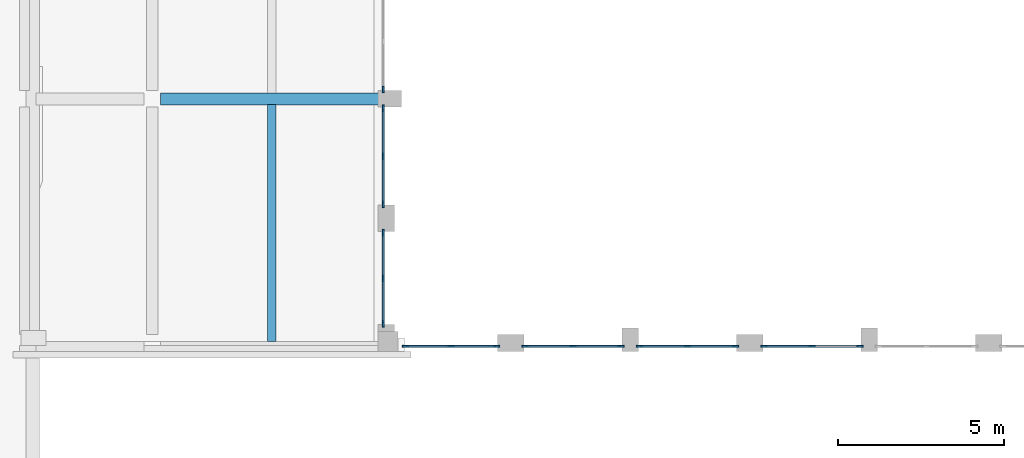
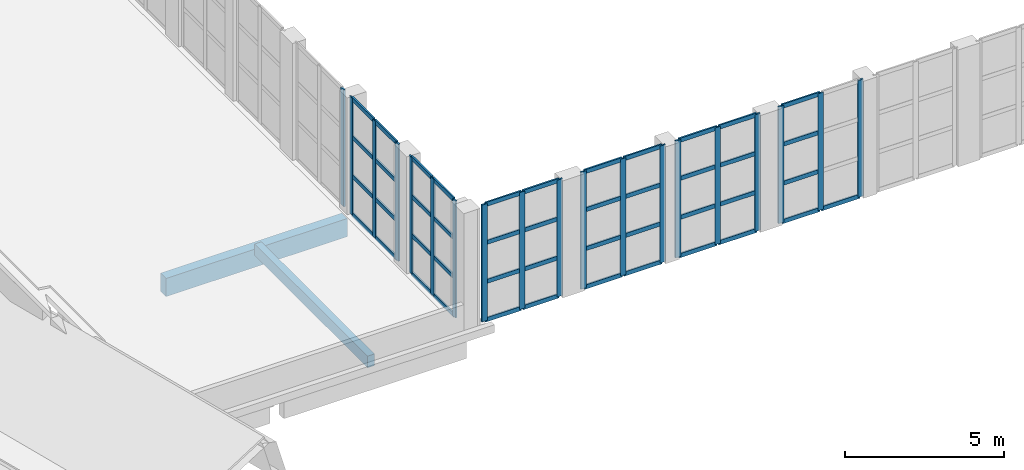
# One storey, part 2 of 44: 64 members, 2 beams, 7 elements without a shape of their own.
"""IFC4 building model written with IfcOpenShell, lengths in metres."""

from ifc_helpers import new_model, si_unit, direction, frame, origin, origin_2d, place, context, subcontext, project, spatial, rectangle, extrude, material, layer, layer_set, material_profile, profile_set, type_object, element, aggregate, save


model = new_model("IFC4")

# Units and contexts
model_context = context("Model", 3, precision=1e-05, world=origin(), true_north=direction((0.0, 1.0)))
body_context = subcontext(model_context, "Body", "Model", "MODEL_VIEW")
ifc_project = project(units=[si_unit("LENGTHUNIT", "METRE"), si_unit("AREAUNIT", "SQUARE_METRE"), si_unit("VOLUMEUNIT", "CUBIC_METRE"), si_unit("PLANEANGLEUNIT", "RADIAN"), si_unit("MASSUNIT", "GRAM", prefix="KILO")], contexts=[model_context])

# Site, building, storey
site_placement = place(None, origin())
site = spatial("IfcSite", under=ifc_project, at=site_placement, CompositionType="ELEMENT")
building_placement = place(site_placement, origin())
building = spatial("IfcBuilding", under=site, at=building_placement, Name="Ussher Court Research Institute", CompositionType="ELEMENT")
storey_placement = place(building_placement, frame((0.0, 0.0, 18.89990234375)))
storey = spatial("IfcBuildingStorey", under=building, at=storey_placement, Name="L04", CompositionType="ELEMENT", Elevation=18.89990234375)

# Curtain wall, members
ifc_material_1 = material(Name="Bronze anodised aluminium with low-e glass", Category="aluminium")
ifc_layer = layer(ifc_material_1, 0.159912109375)
ifc_layer_set = layer_set([ifc_layer], Name="Bronze anodised aluminium with low-e glass")
curtain_wall_type = type_object("IfcCurtainWallType", Name="Curtain wall atrium clerestory tall glazing", PredefinedType="NOTDEFINED", material=ifc_layer_set)
curtain_wall_1_placement = place(storey_placement, origin())
curtain_wall_1 = element("IfcCurtainWall", 1, at=curtain_wall_1_placement, inside=storey, type_object=curtain_wall_type, Name="Curtain wall CW3 L04", PredefinedType="NOTDEFINED")
ifc_material_2 = material(Name="Bronze anodised aluminium", Category="aluminium")
ifc_material_profile_1 = material_profile(ifc_material_2, rectangle(XDim=0.06005859375, YDim=0.199951171875, at=origin_2d()), Name="Mullion 60x200")
ifc_profile_set_1 = profile_set([ifc_material_profile_1], Name="Bronze anodised aluminium")
member_type_1 = type_object("IfcMemberType", Name="Mullion 60x200", PredefinedType="MULLION", material=ifc_profile_set_1)
member_1_placement = place(storey_placement, frame((53.1201171875, 10.949951171875, 0.0), z_axis=(0.0, 0.0, 1.0), x_axis=(0.0, -1.0, 0.0)))
member_1 = element("IfcMember", 2, at=member_1_placement, type_object=member_type_1, Name="CW3 mullion 1", PredefinedType="MULLION", context=body_context, shape_type="SweptSolid", body=[
    extrude(rectangle(XDim=0.06005859375, YDim=0.199951171875, at=origin_2d()), origin(), (0.0, 0.0, 1.0), 4.5),
])
member_2_placement = place(storey_placement, frame((51.675048828125, 10.949951171875, 0.0), z_axis=(0.0, 0.0, 1.0), x_axis=(0.0, -1.0, 0.0)))
member_2 = element("IfcMember", 3, at=member_2_placement, type_object=member_type_1, Name="CW3 mullion 2", PredefinedType="MULLION", context=body_context, shape_type="SweptSolid", body=[
    extrude(rectangle(XDim=0.06005859375, YDim=0.199951171875, at=origin_2d()), origin(), (0.0, 0.0, 1.0), 4.5),
])
member_3_placement = place(storey_placement, frame((50.22998046875, 10.949951171875, 0.0), z_axis=(0.0, 0.0, 1.0), x_axis=(0.0, -1.0, 0.0)))
member_3 = element("IfcMember", 4, at=member_3_placement, type_object=member_type_1, Name="CW3 mullion 3", PredefinedType="MULLION", context=body_context, shape_type="SweptSolid", body=[
    extrude(rectangle(XDim=0.06005859375, YDim=0.199951171875, at=origin_2d()), origin(), (0.0, 0.0, 1.0), 4.5),
])

curtain_wall_2_placement = place(storey_placement, origin())
curtain_wall_2 = element("IfcCurtainWall", 5, at=curtain_wall_2_placement, inside=storey, type_object=curtain_wall_type, Name="Curtain wall CW3 L04", PredefinedType="NOTDEFINED")
member_4_placement = place(storey_placement, frame((49.3701171875, 10.949951171875, 0.0), z_axis=(0.0, 0.0, 1.0), x_axis=(0.0, -1.0, 0.0)))
member_4 = element("IfcMember", 6, at=member_4_placement, type_object=member_type_1, Name="CW3 mullion 1", PredefinedType="MULLION", context=body_context, shape_type="SweptSolid", body=[
    extrude(rectangle(XDim=0.06005859375, YDim=0.199951171875, at=origin_2d()), origin(), (0.0, 0.0, 1.0), 4.5),
])
member_5_placement = place(storey_placement, frame((47.925048828125, 10.949951171875, 0.0), z_axis=(0.0, 0.0, 1.0), x_axis=(0.0, -1.0, 0.0)))
member_5 = element("IfcMember", 7, at=member_5_placement, type_object=member_type_1, Name="CW3 mullion 2", PredefinedType="MULLION", context=body_context, shape_type="SweptSolid", body=[
    extrude(rectangle(XDim=0.06005859375, YDim=0.199951171875, at=origin_2d()), origin(), (0.0, 0.0, 1.0), 4.5),
])
member_6_placement = place(storey_placement, frame((46.47998046875, 10.949951171875, 0.0), z_axis=(0.0, 0.0, 1.0), x_axis=(0.0, -1.0, 0.0)))
member_6 = element("IfcMember", 8, at=member_6_placement, type_object=member_type_1, Name="CW3 mullion 3", PredefinedType="MULLION", context=body_context, shape_type="SweptSolid", body=[
    extrude(rectangle(XDim=0.06005859375, YDim=0.199951171875, at=origin_2d()), origin(), (0.0, 0.0, 1.0), 4.5),
])

curtain_wall_3_placement = place(storey_placement, origin())
curtain_wall_3 = element("IfcCurtainWall", 9, at=curtain_wall_3_placement, inside=storey, type_object=curtain_wall_type, Name="Curtain wall CW3 L04", PredefinedType="NOTDEFINED")
member_7_placement = place(storey_placement, frame((45.919921875, 10.949951171875, 0.0), z_axis=(0.0, 0.0, 1.0), x_axis=(0.0, -1.0, 0.0)))
member_7 = element("IfcMember", 10, at=member_7_placement, type_object=member_type_1, Name="CW3 mullion 1", PredefinedType="MULLION", context=body_context, shape_type="SweptSolid", body=[
    extrude(rectangle(XDim=0.06005859375, YDim=0.199951171875, at=origin_2d()), origin(), (0.0, 0.0, 1.0), 4.5),
])
member_8_placement = place(storey_placement, frame((44.47509765625, 10.949951171875, 0.0), z_axis=(0.0, 0.0, 1.0), x_axis=(0.0, -1.0, 0.0)))
member_8 = element("IfcMember", 11, at=member_8_placement, type_object=member_type_1, Name="CW3 mullion 2", PredefinedType="MULLION", context=body_context, shape_type="SweptSolid", body=[
    extrude(rectangle(XDim=0.06005859375, YDim=0.199951171875, at=origin_2d()), origin(), (0.0, 0.0, 1.0), 4.5),
])
member_9_placement = place(storey_placement, frame((43.030029296875, 10.949951171875, 0.0), z_axis=(0.0, 0.0, 1.0), x_axis=(0.0, -1.0, 0.0)))
member_9 = element("IfcMember", 12, at=member_9_placement, type_object=member_type_1, Name="CW3 mullion 3", PredefinedType="MULLION", context=body_context, shape_type="SweptSolid", body=[
    extrude(rectangle(XDim=0.06005859375, YDim=0.199951171875, at=origin_2d()), origin(), (0.0, 0.0, 1.0), 4.5),
])

curtain_wall_4_placement = place(storey_placement, origin())
curtain_wall_4 = element("IfcCurtainWall", 13, at=curtain_wall_4_placement, inside=storey, type_object=curtain_wall_type, Name="Curtain wall CW3 L04", PredefinedType="NOTDEFINED")
member_10_placement = place(storey_placement, frame((42.169921875, 10.949951171875, 0.0), z_axis=(0.0, 0.0, 1.0), x_axis=(0.0, -1.0, 0.0)))
member_10 = element("IfcMember", 14, at=member_10_placement, type_object=member_type_1, Name="CW3 mullion 1", PredefinedType="MULLION", context=body_context, shape_type="SweptSolid", body=[
    extrude(rectangle(XDim=0.06005859375, YDim=0.199951171875, at=origin_2d()), origin(), (0.0, 0.0, 1.0), 4.5),
])
member_11_placement = place(storey_placement, frame((40.800048828125, 10.949951171875, 0.0), z_axis=(0.0, 0.0, 1.0), x_axis=(0.0, -1.0, 0.0)))
member_11 = element("IfcMember", 15, at=member_11_placement, type_object=member_type_1, Name="CW3 mullion 2", PredefinedType="MULLION", context=body_context, shape_type="SweptSolid", body=[
    extrude(rectangle(XDim=0.06005859375, YDim=0.199951171875, at=origin_2d()), origin(), (0.0, 0.0, 1.0), 4.5),
])
member_12_placement = place(storey_placement, frame((39.429931640625, 10.949951171875, 0.0), z_axis=(0.0, 0.0, 1.0), x_axis=(0.0, -1.0, 0.0)))
member_12 = element("IfcMember", 16, at=member_12_placement, type_object=member_type_1, Name="CW3 mullion 3", PredefinedType="MULLION", context=body_context, shape_type="SweptSolid", body=[
    extrude(rectangle(XDim=0.06005859375, YDim=0.199951171875, at=origin_2d()), origin(), (0.0, 0.0, 1.0), 4.5),
])

curtain_wall_5_placement = place(storey_placement, origin())
curtain_wall_5 = element("IfcCurtainWall", 17, at=curtain_wall_5_placement, inside=storey, type_object=curtain_wall_type, Name="Curtain wall CW3 L04", PredefinedType="NOTDEFINED")
member_13_placement = place(storey_placement, frame((38.75, 11.6298828125, 0.0), z_axis=(0.0, 0.0, 1.0), x_axis=(-1.0, 0.0, 0.0)))
member_13 = element("IfcMember", 18, at=member_13_placement, type_object=member_type_1, Name="CW3 mullion 1", PredefinedType="MULLION", context=body_context, shape_type="SweptSolid", body=[
    extrude(rectangle(XDim=0.06005859375, YDim=0.199951171875, at=origin_2d()), origin(), (0.0, 0.0, 1.0), 4.5),
])
member_14_placement = place(storey_placement, frame((38.75, 13.0, 0.0), z_axis=(0.0, 0.0, 1.0), x_axis=(-1.0, 0.0, 0.0)))
member_14 = element("IfcMember", 19, at=member_14_placement, type_object=member_type_1, Name="CW3 mullion 2", PredefinedType="MULLION", context=body_context, shape_type="SweptSolid", body=[
    extrude(rectangle(XDim=0.06005859375, YDim=0.199951171875, at=origin_2d()), origin(), (0.0, 0.0, 1.0), 4.5),
])
member_15_placement = place(storey_placement, frame((38.75, 14.3701171875, 0.0), z_axis=(0.0, 0.0, 1.0), x_axis=(-1.0, 0.0, 0.0)))
member_15 = element("IfcMember", 20, at=member_15_placement, type_object=member_type_1, Name="CW3 mullion 3", PredefinedType="MULLION", context=body_context, shape_type="SweptSolid", body=[
    extrude(rectangle(XDim=0.06005859375, YDim=0.199951171875, at=origin_2d()), origin(), (0.0, 0.0, 1.0), 4.5),
])

curtain_wall_6_placement = place(storey_placement, origin())
curtain_wall_6 = element("IfcCurtainWall", 21, at=curtain_wall_6_placement, inside=storey, type_object=curtain_wall_type, Name="Curtain wall CW3 L04", PredefinedType="NOTDEFINED")
member_16_placement = place(storey_placement, frame((38.75, 15.22998046875, 0.0), z_axis=(0.0, 0.0, 1.0), x_axis=(-1.0, 0.0, 0.0)))
member_16 = element("IfcMember", 22, at=member_16_placement, type_object=member_type_1, Name="CW3 mullion 1", PredefinedType="MULLION", context=body_context, shape_type="SweptSolid", body=[
    extrude(rectangle(XDim=0.06005859375, YDim=0.199951171875, at=origin_2d()), origin(), (0.0, 0.0, 1.0), 4.5),
])
member_17_placement = place(storey_placement, frame((38.75, 16.675048828125, 0.0), z_axis=(0.0, 0.0, 1.0), x_axis=(-1.0, 0.0, 0.0)))
member_17 = element("IfcMember", 23, at=member_17_placement, type_object=member_type_1, Name="CW3 mullion 2", PredefinedType="MULLION", context=body_context, shape_type="SweptSolid", body=[
    extrude(rectangle(XDim=0.06005859375, YDim=0.199951171875, at=origin_2d()), origin(), (0.0, 0.0, 1.0), 4.5),
])
member_18_placement = place(storey_placement, frame((38.75, 18.1201171875, 0.0), z_axis=(0.0, 0.0, 1.0), x_axis=(-1.0, 0.0, 0.0)))
member_18 = element("IfcMember", 24, at=member_18_placement, type_object=member_type_1, Name="CW3 mullion 3", PredefinedType="MULLION", context=body_context, shape_type="SweptSolid", body=[
    extrude(rectangle(XDim=0.06005859375, YDim=0.199951171875, at=origin_2d()), origin(), (0.0, 0.0, 1.0), 4.5),
])

# Curtain wall, member
curtain_wall_7_placement = place(storey_placement, origin())
curtain_wall_7 = element("IfcCurtainWall", 25, at=curtain_wall_7_placement, inside=storey, type_object=curtain_wall_type, Name="Curtain wall CW3 L04", PredefinedType="NOTDEFINED")
member_19_placement = place(storey_placement, frame((38.75, 18.679931640625, 0.0), z_axis=(0.0, 0.0, 1.0), x_axis=(-1.0, 0.0, 0.0)))
member_19 = element("IfcMember", 26, at=member_19_placement, type_object=member_type_1, Name="CW3 mullion 1", PredefinedType="MULLION", context=body_context, shape_type="SweptSolid", body=[
    extrude(rectangle(XDim=0.06005859375, YDim=0.199951171875, at=origin_2d()), origin(), (0.0, 0.0, 1.0), 4.5),
])
aggregate(curtain_wall_7, [member_19])

# Beams
ifc_material_3 = material(Name="Concrete C35/45", Category="concrete")
ifc_material_profile_2 = material_profile(ifc_material_3, rectangle(XDim=0.25, YDim=0.449951171875, at=origin_2d()), Name="RC 250x450")
ifc_profile_set_2 = profile_set([ifc_material_profile_2], Name="Concrete C35/45")
beam_type_1 = type_object("IfcBeamType", Name="RC 250x450 beam", PredefinedType="BEAM", material=ifc_profile_set_2)
beam_1_placement = place(storey_placement, frame((35.39990234375, 11.10009765625, -0.224853515625), z_axis=(0.0, 1.0, 0.0), x_axis=(-1.0, 0.0, 0.0)))
element("IfcBeam", 27, at=beam_1_placement, inside=storey, type_object=beam_type_1, Name="B1 V7 L04-01", PredefinedType="BEAM", context=body_context, shape_type="SweptSolid", body=[
    extrude(rectangle(XDim=0.25, YDim=0.449951171875, at=origin_2d()), origin(), (0.0, 0.0, 1.0), 7.125),
])
ifc_material_4 = material(Name="Concrete C35/45", Category="concrete")
ifc_material_profile_3 = material_profile(ifc_material_4, rectangle(XDim=0.35009765625, YDim=0.699951171875, at=origin_2d()), Name="RC 350x700")
ifc_profile_set_3 = profile_set([ifc_material_profile_3], Name="Concrete C35/45")
beam_type_2 = type_object("IfcBeamType", Name="RC 350x700 beam", PredefinedType="BEAM", material=ifc_profile_set_3)
beam_2_placement = place(storey_placement, frame((32.050048828125, 18.39990234375, -0.5498046875), z_axis=(1.0, 0.0, 0.0), x_axis=(0.0, 1.0, 0.0)))
element("IfcBeam", 28, at=beam_2_placement, inside=storey, type_object=beam_type_2, Name="B16 V7 L04-02", PredefinedType="BEAM", context=body_context, shape_type="SweptSolid", body=[
    extrude(rectangle(XDim=0.35009765625, YDim=0.699951171875, at=origin_2d()), origin(), (0.0, 0.0, 1.0), 6.599853515625),
])

# Member
ifc_material_5 = material(Name="Bronze anodised aluminium", Category="aluminium")
ifc_material_profile_4 = material_profile(ifc_material_5, rectangle(XDim=0.06005859375, YDim=0.159912109375, at=origin_2d()), Name="Transom 60x160")
ifc_profile_set_4 = profile_set([ifc_material_profile_4], Name="Bronze anodised aluminium")
member_type_2 = type_object("IfcMemberType", Name="Transom 60x160", PredefinedType="USERDEFINED", material=ifc_profile_set_4)
member_20_placement = place(storey_placement, frame((53.090087890625, 10.949951171875, 0.030029296875), z_axis=(-1.0, 0.0, 0.0), x_axis=(0.0, -1.0, 0.0)))
member_20 = element("IfcMember", 29, at=member_20_placement, type_object=member_type_2, Name="CW3 transom 1.1", ObjectType="TRANSOM", PredefinedType="USERDEFINED", context=body_context, shape_type="SweptSolid", body=[
    extrude(rectangle(XDim=0.06005859375, YDim=0.159912109375, at=origin_2d()), origin(), (0.0, 0.0, 1.0), 1.385009765625),
])

member_21_placement = place(storey_placement, frame((51.64501953125, 10.949951171875, 0.030029296875), z_axis=(-1.0, 0.0, 0.0), x_axis=(0.0, -1.0, 0.0)))
member_21 = element("IfcMember", 30, at=member_21_placement, type_object=member_type_2, Name="CW3 transom 2.1", ObjectType="TRANSOM", PredefinedType="USERDEFINED", context=body_context, shape_type="SweptSolid", body=[
    extrude(rectangle(XDim=0.06005859375, YDim=0.159912109375, at=origin_2d()), origin(), (0.0, 0.0, 1.0), 1.385009765625),
])

member_22_placement = place(storey_placement, frame((51.64501953125, 10.949951171875, 1.5), z_axis=(-1.0, 0.0, 0.0), x_axis=(0.0, -1.0, 0.0)))
member_22 = element("IfcMember", 31, at=member_22_placement, type_object=member_type_2, Name="CW3 transom 2.2", ObjectType="TRANSOM", PredefinedType="USERDEFINED", context=body_context, shape_type="SweptSolid", body=[
    extrude(rectangle(XDim=0.06005859375, YDim=0.159912109375, at=origin_2d()), origin(), (0.0, 0.0, 1.0), 1.385009765625),
])

member_23_placement = place(storey_placement, frame((51.64501953125, 10.949951171875, 3.0), z_axis=(-1.0, 0.0, 0.0), x_axis=(0.0, -1.0, 0.0)))
member_23 = element("IfcMember", 32, at=member_23_placement, type_object=member_type_2, Name="CW3 transom 2.3", ObjectType="TRANSOM", PredefinedType="USERDEFINED", context=body_context, shape_type="SweptSolid", body=[
    extrude(rectangle(XDim=0.06005859375, YDim=0.159912109375, at=origin_2d()), origin(), (0.0, 0.0, 1.0), 1.385009765625),
])

member_24_placement = place(storey_placement, frame((51.64501953125, 10.949951171875, 4.47021484375), z_axis=(-1.0, 0.0, 0.0), x_axis=(0.0, -1.0, 0.0)))
member_24 = element("IfcMember", 33, at=member_24_placement, type_object=member_type_2, Name="CW3 transom 2.4", ObjectType="TRANSOM", PredefinedType="USERDEFINED", context=body_context, shape_type="SweptSolid", body=[
    extrude(rectangle(XDim=0.06005859375, YDim=0.159912109375, at=origin_2d()), origin(), (0.0, 0.0, 1.0), 1.385009765625),
])

aggregate(curtain_wall_1, [member_1, member_2, member_3, member_20, member_21, member_22, member_23, member_24])

member_25_placement = place(storey_placement, frame((49.340087890625, 10.949951171875, 0.030029296875), z_axis=(-1.0, 0.0, 0.0), x_axis=(0.0, -1.0, 0.0)))
member_25 = element("IfcMember", 34, at=member_25_placement, type_object=member_type_2, Name="CW3 transom 1.1", ObjectType="TRANSOM", PredefinedType="USERDEFINED", context=body_context, shape_type="SweptSolid", body=[
    extrude(rectangle(XDim=0.06005859375, YDim=0.159912109375, at=origin_2d()), origin(), (0.0, 0.0, 1.0), 1.385009765625),
])

member_26_placement = place(storey_placement, frame((49.340087890625, 10.949951171875, 1.5), z_axis=(-1.0, 0.0, 0.0), x_axis=(0.0, -1.0, 0.0)))
member_26 = element("IfcMember", 35, at=member_26_placement, type_object=member_type_2, Name="CW3 transom 1.2", ObjectType="TRANSOM", PredefinedType="USERDEFINED", context=body_context, shape_type="SweptSolid", body=[
    extrude(rectangle(XDim=0.06005859375, YDim=0.159912109375, at=origin_2d()), origin(), (0.0, 0.0, 1.0), 1.385009765625),
])

member_27_placement = place(storey_placement, frame((49.340087890625, 10.949951171875, 3.0), z_axis=(-1.0, 0.0, 0.0), x_axis=(0.0, -1.0, 0.0)))
member_27 = element("IfcMember", 36, at=member_27_placement, type_object=member_type_2, Name="CW3 transom 1.3", ObjectType="TRANSOM", PredefinedType="USERDEFINED", context=body_context, shape_type="SweptSolid", body=[
    extrude(rectangle(XDim=0.06005859375, YDim=0.159912109375, at=origin_2d()), origin(), (0.0, 0.0, 1.0), 1.385009765625),
])

member_28_placement = place(storey_placement, frame((49.340087890625, 10.949951171875, 4.47021484375), z_axis=(-1.0, 0.0, 0.0), x_axis=(0.0, -1.0, 0.0)))
member_28 = element("IfcMember", 37, at=member_28_placement, type_object=member_type_2, Name="CW3 transom 1.4", ObjectType="TRANSOM", PredefinedType="USERDEFINED", context=body_context, shape_type="SweptSolid", body=[
    extrude(rectangle(XDim=0.06005859375, YDim=0.159912109375, at=origin_2d()), origin(), (0.0, 0.0, 1.0), 1.385009765625),
])

member_29_placement = place(storey_placement, frame((47.89501953125, 10.949951171875, 0.030029296875), z_axis=(-1.0, 0.0, 0.0), x_axis=(0.0, -1.0, 0.0)))
member_29 = element("IfcMember", 38, at=member_29_placement, type_object=member_type_2, Name="CW3 transom 2.1", ObjectType="TRANSOM", PredefinedType="USERDEFINED", context=body_context, shape_type="SweptSolid", body=[
    extrude(rectangle(XDim=0.06005859375, YDim=0.159912109375, at=origin_2d()), origin(), (0.0, 0.0, 1.0), 1.385009765625),
])

member_30_placement = place(storey_placement, frame((47.89501953125, 10.949951171875, 1.5), z_axis=(-1.0, 0.0, 0.0), x_axis=(0.0, -1.0, 0.0)))
member_30 = element("IfcMember", 39, at=member_30_placement, type_object=member_type_2, Name="CW3 transom 2.2", ObjectType="TRANSOM", PredefinedType="USERDEFINED", context=body_context, shape_type="SweptSolid", body=[
    extrude(rectangle(XDim=0.06005859375, YDim=0.159912109375, at=origin_2d()), origin(), (0.0, 0.0, 1.0), 1.385009765625),
])

member_31_placement = place(storey_placement, frame((47.89501953125, 10.949951171875, 3.0), z_axis=(-1.0, 0.0, 0.0), x_axis=(0.0, -1.0, 0.0)))
member_31 = element("IfcMember", 40, at=member_31_placement, type_object=member_type_2, Name="CW3 transom 2.3", ObjectType="TRANSOM", PredefinedType="USERDEFINED", context=body_context, shape_type="SweptSolid", body=[
    extrude(rectangle(XDim=0.06005859375, YDim=0.159912109375, at=origin_2d()), origin(), (0.0, 0.0, 1.0), 1.385009765625),
])

member_32_placement = place(storey_placement, frame((47.89501953125, 10.949951171875, 4.47021484375), z_axis=(-1.0, 0.0, 0.0), x_axis=(0.0, -1.0, 0.0)))
member_32 = element("IfcMember", 41, at=member_32_placement, type_object=member_type_2, Name="CW3 transom 2.4", ObjectType="TRANSOM", PredefinedType="USERDEFINED", context=body_context, shape_type="SweptSolid", body=[
    extrude(rectangle(XDim=0.06005859375, YDim=0.159912109375, at=origin_2d()), origin(), (0.0, 0.0, 1.0), 1.385009765625),
])

aggregate(curtain_wall_2, [member_4, member_5, member_6, member_25, member_26, member_27, member_28, member_29, member_30, member_31, member_32])

member_33_placement = place(storey_placement, frame((45.889892578125, 10.949951171875, 0.030029296875), z_axis=(-1.0, 0.0, 0.0), x_axis=(0.0, -1.0, 0.0)))
member_33 = element("IfcMember", 42, at=member_33_placement, type_object=member_type_2, Name="CW3 transom 1.1", ObjectType="TRANSOM", PredefinedType="USERDEFINED", context=body_context, shape_type="SweptSolid", body=[
    extrude(rectangle(XDim=0.06005859375, YDim=0.159912109375, at=origin_2d()), origin(), (0.0, 0.0, 1.0), 1.385009765625),
])

member_34_placement = place(storey_placement, frame((45.889892578125, 10.949951171875, 1.5), z_axis=(-1.0, 0.0, 0.0), x_axis=(0.0, -1.0, 0.0)))
member_34 = element("IfcMember", 43, at=member_34_placement, type_object=member_type_2, Name="CW3 transom 1.2", ObjectType="TRANSOM", PredefinedType="USERDEFINED", context=body_context, shape_type="SweptSolid", body=[
    extrude(rectangle(XDim=0.06005859375, YDim=0.159912109375, at=origin_2d()), origin(), (0.0, 0.0, 1.0), 1.385009765625),
])

member_35_placement = place(storey_placement, frame((45.889892578125, 10.949951171875, 3.0), z_axis=(-1.0, 0.0, 0.0), x_axis=(0.0, -1.0, 0.0)))
member_35 = element("IfcMember", 44, at=member_35_placement, type_object=member_type_2, Name="CW3 transom 1.3", ObjectType="TRANSOM", PredefinedType="USERDEFINED", context=body_context, shape_type="SweptSolid", body=[
    extrude(rectangle(XDim=0.06005859375, YDim=0.159912109375, at=origin_2d()), origin(), (0.0, 0.0, 1.0), 1.385009765625),
])

member_36_placement = place(storey_placement, frame((45.889892578125, 10.949951171875, 4.47021484375), z_axis=(-1.0, 0.0, 0.0), x_axis=(0.0, -1.0, 0.0)))
member_36 = element("IfcMember", 45, at=member_36_placement, type_object=member_type_2, Name="CW3 transom 1.4", ObjectType="TRANSOM", PredefinedType="USERDEFINED", context=body_context, shape_type="SweptSolid", body=[
    extrude(rectangle(XDim=0.06005859375, YDim=0.159912109375, at=origin_2d()), origin(), (0.0, 0.0, 1.0), 1.385009765625),
])

member_37_placement = place(storey_placement, frame((44.445068359375, 10.949951171875, 0.030029296875), z_axis=(-1.0, 0.0, 0.0), x_axis=(0.0, -1.0, 0.0)))
member_37 = element("IfcMember", 46, at=member_37_placement, type_object=member_type_2, Name="CW3 transom 2.1", ObjectType="TRANSOM", PredefinedType="USERDEFINED", context=body_context, shape_type="SweptSolid", body=[
    extrude(rectangle(XDim=0.06005859375, YDim=0.159912109375, at=origin_2d()), origin(), (0.0, 0.0, 1.0), 1.385009765625),
])

member_38_placement = place(storey_placement, frame((44.445068359375, 10.949951171875, 1.5), z_axis=(-1.0, 0.0, 0.0), x_axis=(0.0, -1.0, 0.0)))
member_38 = element("IfcMember", 47, at=member_38_placement, type_object=member_type_2, Name="CW3 transom 2.2", ObjectType="TRANSOM", PredefinedType="USERDEFINED", context=body_context, shape_type="SweptSolid", body=[
    extrude(rectangle(XDim=0.06005859375, YDim=0.159912109375, at=origin_2d()), origin(), (0.0, 0.0, 1.0), 1.385009765625),
])

member_39_placement = place(storey_placement, frame((44.445068359375, 10.949951171875, 3.0), z_axis=(-1.0, 0.0, 0.0), x_axis=(0.0, -1.0, 0.0)))
member_39 = element("IfcMember", 48, at=member_39_placement, type_object=member_type_2, Name="CW3 transom 2.3", ObjectType="TRANSOM", PredefinedType="USERDEFINED", context=body_context, shape_type="SweptSolid", body=[
    extrude(rectangle(XDim=0.06005859375, YDim=0.159912109375, at=origin_2d()), origin(), (0.0, 0.0, 1.0), 1.385009765625),
])

member_40_placement = place(storey_placement, frame((44.445068359375, 10.949951171875, 4.47021484375), z_axis=(-1.0, 0.0, 0.0), x_axis=(0.0, -1.0, 0.0)))
member_40 = element("IfcMember", 49, at=member_40_placement, type_object=member_type_2, Name="CW3 transom 2.4", ObjectType="TRANSOM", PredefinedType="USERDEFINED", context=body_context, shape_type="SweptSolid", body=[
    extrude(rectangle(XDim=0.06005859375, YDim=0.159912109375, at=origin_2d()), origin(), (0.0, 0.0, 1.0), 1.385009765625),
])

aggregate(curtain_wall_3, [member_7, member_8, member_9, member_33, member_34, member_35, member_36, member_37, member_38, member_39, member_40])

member_41_placement = place(storey_placement, frame((42.139892578125, 10.949951171875, 0.030029296875), z_axis=(-1.0, 0.0, 0.0), x_axis=(0.0, -1.0, 0.0)))
member_41 = element("IfcMember", 50, at=member_41_placement, type_object=member_type_2, Name="CW3 transom 1.1", ObjectType="TRANSOM", PredefinedType="USERDEFINED", context=body_context, shape_type="SweptSolid", body=[
    extrude(rectangle(XDim=0.06005859375, YDim=0.159912109375, at=origin_2d()), origin(), (0.0, 0.0, 1.0), 1.309814453125),
])

member_42_placement = place(storey_placement, frame((42.139892578125, 10.949951171875, 1.5), z_axis=(-1.0, 0.0, 0.0), x_axis=(0.0, -1.0, 0.0)))
member_42 = element("IfcMember", 51, at=member_42_placement, type_object=member_type_2, Name="CW3 transom 1.2", ObjectType="TRANSOM", PredefinedType="USERDEFINED", context=body_context, shape_type="SweptSolid", body=[
    extrude(rectangle(XDim=0.06005859375, YDim=0.159912109375, at=origin_2d()), origin(), (0.0, 0.0, 1.0), 1.309814453125),
])

member_43_placement = place(storey_placement, frame((42.139892578125, 10.949951171875, 3.0), z_axis=(-1.0, 0.0, 0.0), x_axis=(0.0, -1.0, 0.0)))
member_43 = element("IfcMember", 52, at=member_43_placement, type_object=member_type_2, Name="CW3 transom 1.3", ObjectType="TRANSOM", PredefinedType="USERDEFINED", context=body_context, shape_type="SweptSolid", body=[
    extrude(rectangle(XDim=0.06005859375, YDim=0.159912109375, at=origin_2d()), origin(), (0.0, 0.0, 1.0), 1.309814453125),
])

member_44_placement = place(storey_placement, frame((42.139892578125, 10.949951171875, 4.47021484375), z_axis=(-1.0, 0.0, 0.0), x_axis=(0.0, -1.0, 0.0)))
member_44 = element("IfcMember", 53, at=member_44_placement, type_object=member_type_2, Name="CW3 transom 1.4", ObjectType="TRANSOM", PredefinedType="USERDEFINED", context=body_context, shape_type="SweptSolid", body=[
    extrude(rectangle(XDim=0.06005859375, YDim=0.159912109375, at=origin_2d()), origin(), (0.0, 0.0, 1.0), 1.309814453125),
])

member_45_placement = place(storey_placement, frame((40.77001953125, 10.949951171875, 0.030029296875), z_axis=(-1.0, 0.0, 0.0), x_axis=(0.0, -1.0, 0.0)))
member_45 = element("IfcMember", 54, at=member_45_placement, type_object=member_type_2, Name="CW3 transom 2.1", ObjectType="TRANSOM", PredefinedType="USERDEFINED", context=body_context, shape_type="SweptSolid", body=[
    extrude(rectangle(XDim=0.06005859375, YDim=0.159912109375, at=origin_2d()), origin(), (0.0, 0.0, 1.0), 1.31005859375),
])

member_46_placement = place(storey_placement, frame((40.77001953125, 10.949951171875, 1.5), z_axis=(-1.0, 0.0, 0.0), x_axis=(0.0, -1.0, 0.0)))
member_46 = element("IfcMember", 55, at=member_46_placement, type_object=member_type_2, Name="CW3 transom 2.2", ObjectType="TRANSOM", PredefinedType="USERDEFINED", context=body_context, shape_type="SweptSolid", body=[
    extrude(rectangle(XDim=0.06005859375, YDim=0.159912109375, at=origin_2d()), origin(), (0.0, 0.0, 1.0), 1.31005859375),
])

member_47_placement = place(storey_placement, frame((40.77001953125, 10.949951171875, 3.0), z_axis=(-1.0, 0.0, 0.0), x_axis=(0.0, -1.0, 0.0)))
member_47 = element("IfcMember", 56, at=member_47_placement, type_object=member_type_2, Name="CW3 transom 2.3", ObjectType="TRANSOM", PredefinedType="USERDEFINED", context=body_context, shape_type="SweptSolid", body=[
    extrude(rectangle(XDim=0.06005859375, YDim=0.159912109375, at=origin_2d()), origin(), (0.0, 0.0, 1.0), 1.31005859375),
])

member_48_placement = place(storey_placement, frame((40.77001953125, 10.949951171875, 4.47021484375), z_axis=(-1.0, 0.0, 0.0), x_axis=(0.0, -1.0, 0.0)))
member_48 = element("IfcMember", 57, at=member_48_placement, type_object=member_type_2, Name="CW3 transom 2.4", ObjectType="TRANSOM", PredefinedType="USERDEFINED", context=body_context, shape_type="SweptSolid", body=[
    extrude(rectangle(XDim=0.06005859375, YDim=0.159912109375, at=origin_2d()), origin(), (0.0, 0.0, 1.0), 1.31005859375),
])

aggregate(curtain_wall_4, [member_10, member_11, member_12, member_41, member_42, member_43, member_44, member_45, member_46, member_47, member_48])

member_49_placement = place(storey_placement, frame((38.75, 11.659912109375, 0.030029296875), z_axis=(0.0, 1.0, 0.0), x_axis=(-1.0, 0.0, 0.0)))
member_49 = element("IfcMember", 58, at=member_49_placement, type_object=member_type_2, Name="CW3 transom 1.1", ObjectType="TRANSOM", PredefinedType="USERDEFINED", context=body_context, shape_type="SweptSolid", body=[
    extrude(rectangle(XDim=0.06005859375, YDim=0.159912109375, at=origin_2d()), origin(), (0.0, 0.0, 1.0), 1.31005859375),
])

member_50_placement = place(storey_placement, frame((38.75, 11.659912109375, 1.5), z_axis=(0.0, 1.0, 0.0), x_axis=(-1.0, 0.0, 0.0)))
member_50 = element("IfcMember", 59, at=member_50_placement, type_object=member_type_2, Name="CW3 transom 1.2", ObjectType="TRANSOM", PredefinedType="USERDEFINED", context=body_context, shape_type="SweptSolid", body=[
    extrude(rectangle(XDim=0.06005859375, YDim=0.159912109375, at=origin_2d()), origin(), (0.0, 0.0, 1.0), 1.31005859375),
])

member_51_placement = place(storey_placement, frame((38.75, 11.659912109375, 3.0), z_axis=(0.0, 1.0, 0.0), x_axis=(-1.0, 0.0, 0.0)))
member_51 = element("IfcMember", 60, at=member_51_placement, type_object=member_type_2, Name="CW3 transom 1.3", ObjectType="TRANSOM", PredefinedType="USERDEFINED", context=body_context, shape_type="SweptSolid", body=[
    extrude(rectangle(XDim=0.06005859375, YDim=0.159912109375, at=origin_2d()), origin(), (0.0, 0.0, 1.0), 1.31005859375),
])

member_52_placement = place(storey_placement, frame((38.75, 11.659912109375, 4.47021484375), z_axis=(0.0, 1.0, 0.0), x_axis=(-1.0, 0.0, 0.0)))
member_52 = element("IfcMember", 61, at=member_52_placement, type_object=member_type_2, Name="CW3 transom 1.4", ObjectType="TRANSOM", PredefinedType="USERDEFINED", context=body_context, shape_type="SweptSolid", body=[
    extrude(rectangle(XDim=0.06005859375, YDim=0.159912109375, at=origin_2d()), origin(), (0.0, 0.0, 1.0), 1.31005859375),
])

member_53_placement = place(storey_placement, frame((38.75, 13.030029296875, 0.030029296875), z_axis=(0.0, 1.0, 0.0), x_axis=(-1.0, 0.0, 0.0)))
member_53 = element("IfcMember", 62, at=member_53_placement, type_object=member_type_2, Name="CW3 transom 2.1", ObjectType="TRANSOM", PredefinedType="USERDEFINED", context=body_context, shape_type="SweptSolid", body=[
    extrude(rectangle(XDim=0.06005859375, YDim=0.159912109375, at=origin_2d()), origin(), (0.0, 0.0, 1.0), 1.31005859375),
])

member_54_placement = place(storey_placement, frame((38.75, 13.030029296875, 1.5), z_axis=(0.0, 1.0, 0.0), x_axis=(-1.0, 0.0, 0.0)))
member_54 = element("IfcMember", 63, at=member_54_placement, type_object=member_type_2, Name="CW3 transom 2.2", ObjectType="TRANSOM", PredefinedType="USERDEFINED", context=body_context, shape_type="SweptSolid", body=[
    extrude(rectangle(XDim=0.06005859375, YDim=0.159912109375, at=origin_2d()), origin(), (0.0, 0.0, 1.0), 1.31005859375),
])

member_55_placement = place(storey_placement, frame((38.75, 13.030029296875, 3.0), z_axis=(0.0, 1.0, 0.0), x_axis=(-1.0, 0.0, 0.0)))
member_55 = element("IfcMember", 64, at=member_55_placement, type_object=member_type_2, Name="CW3 transom 2.3", ObjectType="TRANSOM", PredefinedType="USERDEFINED", context=body_context, shape_type="SweptSolid", body=[
    extrude(rectangle(XDim=0.06005859375, YDim=0.159912109375, at=origin_2d()), origin(), (0.0, 0.0, 1.0), 1.31005859375),
])

member_56_placement = place(storey_placement, frame((38.75, 13.030029296875, 4.47021484375), z_axis=(0.0, 1.0, 0.0), x_axis=(-1.0, 0.0, 0.0)))
member_56 = element("IfcMember", 65, at=member_56_placement, type_object=member_type_2, Name="CW3 transom 2.4", ObjectType="TRANSOM", PredefinedType="USERDEFINED", context=body_context, shape_type="SweptSolid", body=[
    extrude(rectangle(XDim=0.06005859375, YDim=0.159912109375, at=origin_2d()), origin(), (0.0, 0.0, 1.0), 1.31005859375),
])

aggregate(curtain_wall_5, [member_13, member_14, member_15, member_49, member_50, member_51, member_52, member_53, member_54, member_55, member_56])

member_57_placement = place(storey_placement, frame((38.75, 15.260009765625, 0.030029296875), z_axis=(0.0, 1.0, 0.0), x_axis=(-1.0, 0.0, 0.0)))
member_57 = element("IfcMember", 66, at=member_57_placement, type_object=member_type_2, Name="CW3 transom 1.1", ObjectType="TRANSOM", PredefinedType="USERDEFINED", context=body_context, shape_type="SweptSolid", body=[
    extrude(rectangle(XDim=0.06005859375, YDim=0.159912109375, at=origin_2d()), origin(), (0.0, 0.0, 1.0), 1.385009765625),
])

member_58_placement = place(storey_placement, frame((38.75, 15.260009765625, 1.5), z_axis=(0.0, 1.0, 0.0), x_axis=(-1.0, 0.0, 0.0)))
member_58 = element("IfcMember", 67, at=member_58_placement, type_object=member_type_2, Name="CW3 transom 1.2", ObjectType="TRANSOM", PredefinedType="USERDEFINED", context=body_context, shape_type="SweptSolid", body=[
    extrude(rectangle(XDim=0.06005859375, YDim=0.159912109375, at=origin_2d()), origin(), (0.0, 0.0, 1.0), 1.385009765625),
])

member_59_placement = place(storey_placement, frame((38.75, 15.260009765625, 3.0), z_axis=(0.0, 1.0, 0.0), x_axis=(-1.0, 0.0, 0.0)))
member_59 = element("IfcMember", 68, at=member_59_placement, type_object=member_type_2, Name="CW3 transom 1.3", ObjectType="TRANSOM", PredefinedType="USERDEFINED", context=body_context, shape_type="SweptSolid", body=[
    extrude(rectangle(XDim=0.06005859375, YDim=0.159912109375, at=origin_2d()), origin(), (0.0, 0.0, 1.0), 1.385009765625),
])

member_60_placement = place(storey_placement, frame((38.75, 15.260009765625, 4.47021484375), z_axis=(0.0, 1.0, 0.0), x_axis=(-1.0, 0.0, 0.0)))
member_60 = element("IfcMember", 69, at=member_60_placement, type_object=member_type_2, Name="CW3 transom 1.4", ObjectType="TRANSOM", PredefinedType="USERDEFINED", context=body_context, shape_type="SweptSolid", body=[
    extrude(rectangle(XDim=0.06005859375, YDim=0.159912109375, at=origin_2d()), origin(), (0.0, 0.0, 1.0), 1.385009765625),
])

member_61_placement = place(storey_placement, frame((38.75, 16.705078125, 0.030029296875), z_axis=(0.0, 1.0, 0.0), x_axis=(-1.0, 0.0, 0.0)))
member_61 = element("IfcMember", 70, at=member_61_placement, type_object=member_type_2, Name="CW3 transom 2.1", ObjectType="TRANSOM", PredefinedType="USERDEFINED", context=body_context, shape_type="SweptSolid", body=[
    extrude(rectangle(XDim=0.06005859375, YDim=0.159912109375, at=origin_2d()), origin(), (0.0, 0.0, 1.0), 1.385009765625),
])

member_62_placement = place(storey_placement, frame((38.75, 16.705078125, 1.5), z_axis=(0.0, 1.0, 0.0), x_axis=(-1.0, 0.0, 0.0)))
member_62 = element("IfcMember", 71, at=member_62_placement, type_object=member_type_2, Name="CW3 transom 2.2", ObjectType="TRANSOM", PredefinedType="USERDEFINED", context=body_context, shape_type="SweptSolid", body=[
    extrude(rectangle(XDim=0.06005859375, YDim=0.159912109375, at=origin_2d()), origin(), (0.0, 0.0, 1.0), 1.385009765625),
])

member_63_placement = place(storey_placement, frame((38.75, 16.705078125, 3.0), z_axis=(0.0, 1.0, 0.0), x_axis=(-1.0, 0.0, 0.0)))
member_63 = element("IfcMember", 72, at=member_63_placement, type_object=member_type_2, Name="CW3 transom 2.3", ObjectType="TRANSOM", PredefinedType="USERDEFINED", context=body_context, shape_type="SweptSolid", body=[
    extrude(rectangle(XDim=0.06005859375, YDim=0.159912109375, at=origin_2d()), origin(), (0.0, 0.0, 1.0), 1.385009765625),
])

member_64_placement = place(storey_placement, frame((38.75, 16.705078125, 4.47021484375), z_axis=(0.0, 1.0, 0.0), x_axis=(-1.0, 0.0, 0.0)))
member_64 = element("IfcMember", 73, at=member_64_placement, type_object=member_type_2, Name="CW3 transom 2.4", ObjectType="TRANSOM", PredefinedType="USERDEFINED", context=body_context, shape_type="SweptSolid", body=[
    extrude(rectangle(XDim=0.06005859375, YDim=0.159912109375, at=origin_2d()), origin(), (0.0, 0.0, 1.0), 1.385009765625),
])

aggregate(curtain_wall_6, [member_16, member_17, member_18, member_57, member_58, member_59, member_60, member_61, member_62, member_63, member_64])

save(model, "model.ifc")
